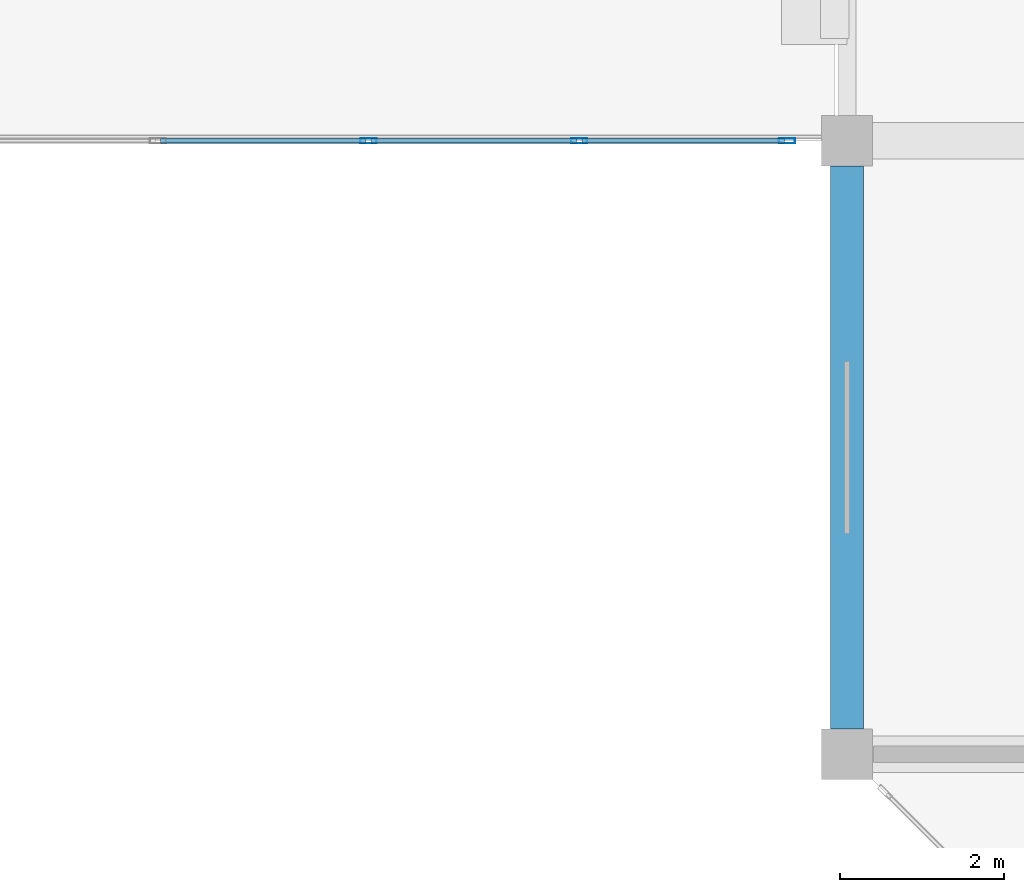
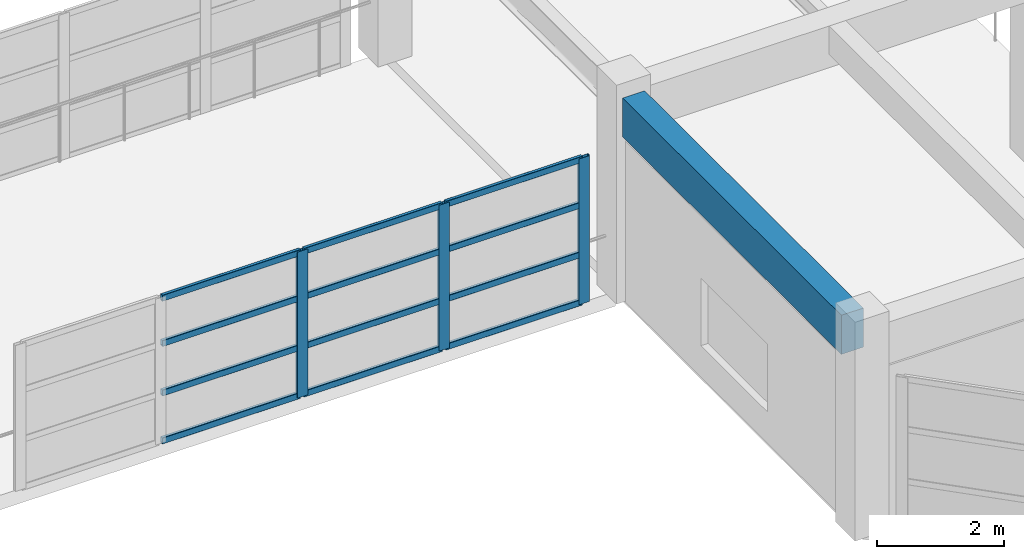
# One storey, part 35 of 132: 15 members, 1 beam, 1 element without a shape of its own.
"""IFC4 building model written with IfcOpenShell, lengths in metres."""

from ifc_helpers import new_model, si_unit, direction, frame, origin, origin_2d, place, context, subcontext, project, spatial, rectangle, hollow_rectangle, extrude, material, material_profile, profile_set, type_object, element, aggregate, save


model = new_model("IFC4")

# Units and contexts
model_context = context("Model", 3, precision=1e-05, world=origin(), true_north=direction((0.0, 1.0)))
body_context = subcontext(model_context, "Body", "Model", "MODEL_VIEW")
ifc_project = project(units=[si_unit("LENGTHUNIT", "METRE"), si_unit("AREAUNIT", "SQUARE_METRE"), si_unit("VOLUMEUNIT", "CUBIC_METRE"), si_unit("PLANEANGLEUNIT", "RADIAN"), si_unit("MASSUNIT", "GRAM", prefix="KILO")], contexts=[model_context])

# Site, building, storey
site_placement = place(None, origin())
site = spatial("IfcSite", under=ifc_project, at=site_placement, CompositionType="ELEMENT")
building_placement = place(site_placement, origin())
building = spatial("IfcBuilding", under=site, at=building_placement, Name="Qasida Concert Hall", CompositionType="ELEMENT")
storey_placement = place(building_placement, frame((0.0, 0.0, 4.800048828125)))
storey = spatial("IfcBuildingStorey", under=building, at=storey_placement, Name="L01", CompositionType="ELEMENT", Elevation=4.800048828125)

# Beam
ifc_material_1 = material(Name="Concrete C40/50", Category="concrete")
ifc_material_profile_1 = material_profile(ifc_material_1, rectangle(XDim=0.39990234375, YDim=0.75, at=origin_2d()), Name="RC 400x750")
ifc_profile_set_1 = profile_set([ifc_material_profile_1], Name="Concrete C40/50")
beam_type = type_object("IfcBeamType", Name="BM-SP1", PredefinedType="SPANDREL", material=ifc_profile_set_1)
beam_placement = place(storey_placement, frame((127.5, 7.81005859375, 3.544921875), z_axis=(0.0, 1.0, 0.0), x_axis=(-1.0, 0.0, 0.0)))
element("IfcBeam", 1, at=beam_placement, inside=storey, type_object=beam_type, Name="L01 girder 0870", PredefinedType="SPANDREL", context=body_context, shape_type="SweptSolid", body=[
    extrude(rectangle(XDim=0.39990234375, YDim=0.75, at=origin_2d()), origin(), (0.0, 0.0, 1.0), 6.8798828125),
])

# Curtain wall, members
ifc_material_2 = material(Name="Architectural bronze-anodized aluminium and low-E glass", Category="aluminium")
curtain_wall_type = type_object("IfcCurtainWallType", Name="CW-07", PredefinedType="NOTDEFINED", material=ifc_material_2)
curtain_wall_placement = place(storey_placement, origin())
curtain_wall = element("IfcCurtainWall", 2, at=curtain_wall_placement, inside=storey, type_object=curtain_wall_type, Name="L01 link bridge glazing 0236", PredefinedType="NOTDEFINED")
ifc_material_3 = material(Name="Architectural bronze-anodized aluminium EN AW-6063", Category="aluminium")
ifc_material_profile_2 = material_profile(ifc_material_3, hollow_rectangle(XDim=0.06494140625, YDim=0.199951171875, WallThickness=0.0048828125, InnerFilletRadius=0.0048828125, OuterFilletRadius=0.010009765625, at=origin_2d()), Name="CWM 200x65x5")
ifc_profile_set_2 = profile_set([ifc_material_profile_2], Name="Architectural bronze-anodized aluminium EN AW-6063")
member_type_1 = type_object("IfcMemberType", Name="MB-CWM-2", PredefinedType="MULLION", material=ifc_profile_set_2)
member_1_placement = place(storey_placement, frame((121.64990234375, 15.0, 0.0), z_axis=(0.0, 0.0, 1.0), x_axis=(0.0, 1.0, 0.0)))
member_1 = element("IfcMember", 3, at=member_1_placement, type_object=member_type_1, Name="CW-07 mullion 3", PredefinedType="MULLION", context=body_context, shape_type="SweptSolid", body=[
    extrude(hollow_rectangle(XDim=0.06494140625, YDim=0.199951171875, WallThickness=0.0048828125, InnerFilletRadius=0.0048828125, OuterFilletRadius=0.010009765625, at=origin_2d()), origin(), (0.0, 0.0, 1.0), 2.800048828125),
])
member_2_placement = place(storey_placement, frame((124.22509765625, 15.0, 0.0), z_axis=(0.0, 0.0, 1.0), x_axis=(0.0, 1.0, 0.0)))
member_2 = element("IfcMember", 4, at=member_2_placement, type_object=member_type_1, Name="CW-07 mullion 4", PredefinedType="MULLION", context=body_context, shape_type="SweptSolid", body=[
    extrude(hollow_rectangle(XDim=0.06494140625, YDim=0.199951171875, WallThickness=0.0048828125, InnerFilletRadius=0.0048828125, OuterFilletRadius=0.010009765625, at=origin_2d()), origin(), (0.0, 0.0, 1.0), 2.800048828125),
])
member_3_placement = place(storey_placement, frame((126.767578125, 15.0, 0.0), z_axis=(0.0, 0.0, 1.0), x_axis=(0.0, 1.0, 0.0)))
member_3 = element("IfcMember", 5, at=member_3_placement, type_object=member_type_1, Name="CW-07 mullion 5", PredefinedType="MULLION", context=body_context, shape_type="SweptSolid", body=[
    extrude(hollow_rectangle(XDim=0.06494140625, YDim=0.199951171875, WallThickness=0.0048828125, InnerFilletRadius=0.0048828125, OuterFilletRadius=0.010009765625, at=origin_2d()), origin(), (0.0, 0.0, 1.0), 2.800048828125),
])
ifc_material_profile_3 = material_profile(ifc_material_3, hollow_rectangle(XDim=0.06005859375, YDim=0.1201171875, WallThickness=0.00390625, InnerFilletRadius=0.00390625, OuterFilletRadius=0.008056640625, at=origin_2d()), Name="CWT 120x60x4")
ifc_profile_set_3 = profile_set([ifc_material_profile_3], Name="Architectural bronze-anodized aluminium EN AW-6063")
member_type_2 = type_object("IfcMemberType", Name="MB-CWT-2", PredefinedType="USERDEFINED", material=ifc_profile_set_3)
member_4_placement = place(storey_placement, frame((119.107421875, 15.0, 0.030029296875), z_axis=(1.0, 0.0, 0.0), x_axis=(0.0, 1.0, 0.0)))
member_4 = element("IfcMember", 6, at=member_4_placement, type_object=member_type_2, Name="CW-07 transom 2.1", ObjectType="TRANSOM", PredefinedType="USERDEFINED", context=body_context, shape_type="SweptSolid", body=[
    extrude(hollow_rectangle(XDim=0.06005859375, YDim=0.1201171875, WallThickness=0.00390625, InnerFilletRadius=0.00390625, OuterFilletRadius=0.008056640625, at=origin_2d()), origin(), (0.0, 0.0, 1.0), 2.510009765625),
])
member_5_placement = place(storey_placement, frame((119.107421875, 15.0, 0.949951171875), z_axis=(1.0, 0.0, 0.0), x_axis=(0.0, 1.0, 0.0)))
member_5 = element("IfcMember", 7, at=member_5_placement, type_object=member_type_2, Name="CW-07 transom 2.2", ObjectType="TRANSOM", PredefinedType="USERDEFINED", context=body_context, shape_type="SweptSolid", body=[
    extrude(hollow_rectangle(XDim=0.06005859375, YDim=0.1201171875, WallThickness=0.00390625, InnerFilletRadius=0.00390625, OuterFilletRadius=0.008056640625, at=origin_2d()), origin(), (0.0, 0.0, 1.0), 2.510009765625),
])
member_6_placement = place(storey_placement, frame((119.107421875, 15.0, 1.89990234375), z_axis=(1.0, 0.0, 0.0), x_axis=(0.0, 1.0, 0.0)))
member_6 = element("IfcMember", 8, at=member_6_placement, type_object=member_type_2, Name="CW-07 transom 2.3", ObjectType="TRANSOM", PredefinedType="USERDEFINED", context=body_context, shape_type="SweptSolid", body=[
    extrude(hollow_rectangle(XDim=0.06005859375, YDim=0.1201171875, WallThickness=0.00390625, InnerFilletRadius=0.00390625, OuterFilletRadius=0.008056640625, at=origin_2d()), origin(), (0.0, 0.0, 1.0), 2.510009765625),
])
member_7_placement = place(storey_placement, frame((119.107421875, 15.0, 2.77001953125), z_axis=(1.0, 0.0, 0.0), x_axis=(0.0, 1.0, 0.0)))
member_7 = element("IfcMember", 9, at=member_7_placement, type_object=member_type_2, Name="CW-07 transom 2.4", ObjectType="TRANSOM", PredefinedType="USERDEFINED", context=body_context, shape_type="SweptSolid", body=[
    extrude(hollow_rectangle(XDim=0.06005859375, YDim=0.1201171875, WallThickness=0.00390625, InnerFilletRadius=0.00390625, OuterFilletRadius=0.008056640625, at=origin_2d()), origin(), (0.0, 0.0, 1.0), 2.510009765625),
])
member_8_placement = place(storey_placement, frame((121.6826171875, 15.0, 0.030029296875), z_axis=(1.0, 0.0, 0.0), x_axis=(0.0, 1.0, 0.0)))
member_8 = element("IfcMember", 10, at=member_8_placement, type_object=member_type_2, Name="CW-07 transom 3.1", ObjectType="TRANSOM", PredefinedType="USERDEFINED", context=body_context, shape_type="SweptSolid", body=[
    extrude(hollow_rectangle(XDim=0.06005859375, YDim=0.1201171875, WallThickness=0.00390625, InnerFilletRadius=0.00390625, OuterFilletRadius=0.008056640625, at=origin_2d()), origin(), (0.0, 0.0, 1.0), 2.509765625),
])
member_9_placement = place(storey_placement, frame((121.6826171875, 15.0, 0.949951171875), z_axis=(1.0, 0.0, 0.0), x_axis=(0.0, 1.0, 0.0)))
member_9 = element("IfcMember", 11, at=member_9_placement, type_object=member_type_2, Name="CW-07 transom 3.2", ObjectType="TRANSOM", PredefinedType="USERDEFINED", context=body_context, shape_type="SweptSolid", body=[
    extrude(hollow_rectangle(XDim=0.06005859375, YDim=0.1201171875, WallThickness=0.00390625, InnerFilletRadius=0.00390625, OuterFilletRadius=0.008056640625, at=origin_2d()), origin(), (0.0, 0.0, 1.0), 2.509765625),
])
member_10_placement = place(storey_placement, frame((121.6826171875, 15.0, 1.89990234375), z_axis=(1.0, 0.0, 0.0), x_axis=(0.0, 1.0, 0.0)))
member_10 = element("IfcMember", 12, at=member_10_placement, type_object=member_type_2, Name="CW-07 transom 3.3", ObjectType="TRANSOM", PredefinedType="USERDEFINED", context=body_context, shape_type="SweptSolid", body=[
    extrude(hollow_rectangle(XDim=0.06005859375, YDim=0.1201171875, WallThickness=0.00390625, InnerFilletRadius=0.00390625, OuterFilletRadius=0.008056640625, at=origin_2d()), origin(), (0.0, 0.0, 1.0), 2.509765625),
])
member_11_placement = place(storey_placement, frame((121.6826171875, 15.0, 2.77001953125), z_axis=(1.0, 0.0, 0.0), x_axis=(0.0, 1.0, 0.0)))
member_11 = element("IfcMember", 13, at=member_11_placement, type_object=member_type_2, Name="CW-07 transom 3.4", ObjectType="TRANSOM", PredefinedType="USERDEFINED", context=body_context, shape_type="SweptSolid", body=[
    extrude(hollow_rectangle(XDim=0.06005859375, YDim=0.1201171875, WallThickness=0.00390625, InnerFilletRadius=0.00390625, OuterFilletRadius=0.008056640625, at=origin_2d()), origin(), (0.0, 0.0, 1.0), 2.509765625),
])
member_12_placement = place(storey_placement, frame((124.257568359375, 15.0, 0.030029296875), z_axis=(1.0, 0.0, 0.0), x_axis=(0.0, 1.0, 0.0)))
member_12 = element("IfcMember", 14, at=member_12_placement, type_object=member_type_2, Name="CW-07 transom 4.1", ObjectType="TRANSOM", PredefinedType="USERDEFINED", context=body_context, shape_type="SweptSolid", body=[
    extrude(hollow_rectangle(XDim=0.06005859375, YDim=0.1201171875, WallThickness=0.00390625, InnerFilletRadius=0.00390625, OuterFilletRadius=0.008056640625, at=origin_2d()), origin(), (0.0, 0.0, 1.0), 2.4775390625),
])
member_13_placement = place(storey_placement, frame((124.257568359375, 15.0, 0.949951171875), z_axis=(1.0, 0.0, 0.0), x_axis=(0.0, 1.0, 0.0)))
member_13 = element("IfcMember", 15, at=member_13_placement, type_object=member_type_2, Name="CW-07 transom 4.2", ObjectType="TRANSOM", PredefinedType="USERDEFINED", context=body_context, shape_type="SweptSolid", body=[
    extrude(hollow_rectangle(XDim=0.06005859375, YDim=0.1201171875, WallThickness=0.00390625, InnerFilletRadius=0.00390625, OuterFilletRadius=0.008056640625, at=origin_2d()), origin(), (0.0, 0.0, 1.0), 2.4775390625),
])
member_14_placement = place(storey_placement, frame((124.257568359375, 15.0, 1.89990234375), z_axis=(1.0, 0.0, 0.0), x_axis=(0.0, 1.0, 0.0)))
member_14 = element("IfcMember", 16, at=member_14_placement, type_object=member_type_2, Name="CW-07 transom 4.3", ObjectType="TRANSOM", PredefinedType="USERDEFINED", context=body_context, shape_type="SweptSolid", body=[
    extrude(hollow_rectangle(XDim=0.06005859375, YDim=0.1201171875, WallThickness=0.00390625, InnerFilletRadius=0.00390625, OuterFilletRadius=0.008056640625, at=origin_2d()), origin(), (0.0, 0.0, 1.0), 2.4775390625),
])
member_15_placement = place(storey_placement, frame((124.257568359375, 15.0, 2.77001953125), z_axis=(1.0, 0.0, 0.0), x_axis=(0.0, 1.0, 0.0)))
member_15 = element("IfcMember", 17, at=member_15_placement, type_object=member_type_2, Name="CW-07 transom 4.4", ObjectType="TRANSOM", PredefinedType="USERDEFINED", context=body_context, shape_type="SweptSolid", body=[
    extrude(hollow_rectangle(XDim=0.06005859375, YDim=0.1201171875, WallThickness=0.00390625, InnerFilletRadius=0.00390625, OuterFilletRadius=0.008056640625, at=origin_2d()), origin(), (0.0, 0.0, 1.0), 2.4775390625),
])
aggregate(curtain_wall, [member_1, member_2, member_3, member_4, member_5, member_6, member_7, member_8, member_9, member_10, member_11, member_12, member_13, member_14, member_15])

save(model, "model.ifc")
